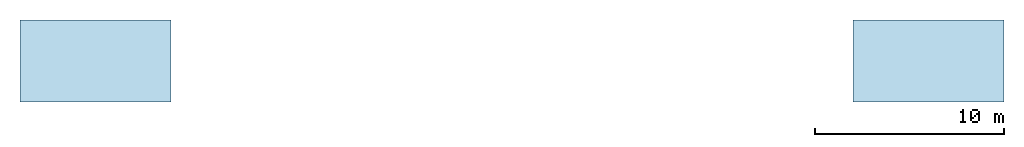
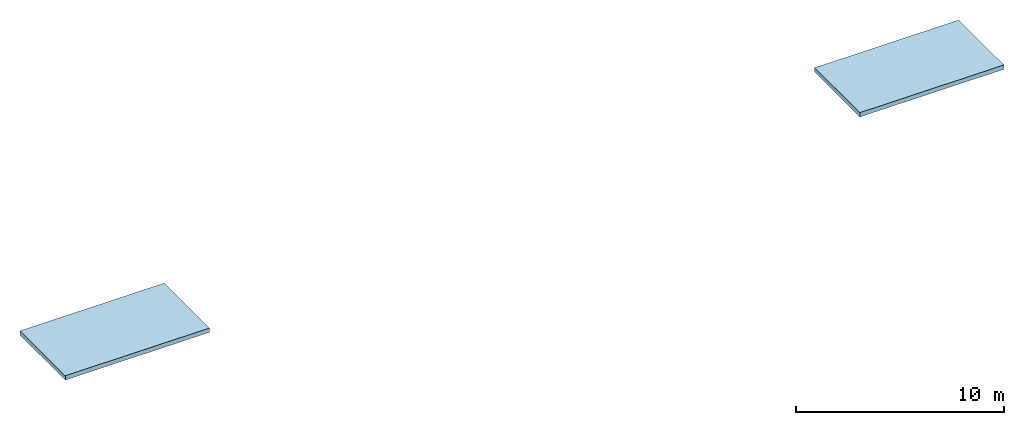
# One storey: 2 slabs.
"""IFC4 building model written with IfcOpenShell, lengths in metres."""

from ifc_helpers import new_model, si_unit, direction, frame, origin, place, context, subcontext, project, spatial, polyline, outline, extrude, material, layer, layer_set, type_object, element, save


model = new_model("IFC4")

# Units and contexts
model_context = context("Model", 3, precision=1e-05, world=origin(), true_north=direction((0.0, 1.0)))
body_context = subcontext(model_context, "Body", "Model", "MODEL_VIEW")
ifc_project = project(units=[si_unit("LENGTHUNIT", "METRE"), si_unit("AREAUNIT", "SQUARE_METRE"), si_unit("VOLUMEUNIT", "CUBIC_METRE"), si_unit("PLANEANGLEUNIT", "RADIAN"), si_unit("MASSUNIT", "GRAM", prefix="KILO")], contexts=[model_context])

# Site, building, storey
site_placement = place(None, origin())
site = spatial("IfcSite", under=ifc_project, at=site_placement, CompositionType="ELEMENT")
building_placement = place(site_placement, origin())
building = spatial("IfcBuilding", under=site, at=building_placement, Name="Zellij Exchange Tower", CompositionType="ELEMENT")
storey_placement = place(building_placement, frame((0.0, 0.0, 313.5)))
storey = spatial("IfcBuildingStorey", under=building, at=storey_placement, Name="UPPER ROOF", CompositionType="ELEMENT", Elevation=313.5)

# Slabs
ifc_material = material(Name="Concrete C40/50", Category="concrete")
ifc_layer = layer(ifc_material, 0.25)
ifc_layer_set = layer_set([ifc_layer], Name="Concrete C40/50")
slab_type = type_object("IfcSlabType", Name="CORE-HR 250 head-house roof slab", PredefinedType="ROOF", material=ifc_layer_set)
slab_1_placement = place(storey_placement, origin())
element("IfcSlab", 1, at=slab_1_placement, inside=storey, type_object=slab_type, Name="Stair ST1 head-house roof", PredefinedType="ROOF", context=body_context, shape_type="SweptSolid", body=[
    extrude(outline(polyline([(-26.050048828125, -13.050048828125), (-18.050048828125, -13.050048828125), (-18.050048828125, -8.699951171875), (-26.050048828125, -8.699951171875), (-26.050048828125, -13.050048828125)])), origin(), (0.0, 0.0, 1.0), 0.25),
])
slab_2_placement = place(storey_placement, origin())
element("IfcSlab", 2, at=slab_2_placement, inside=storey, type_object=slab_type, Name="Stair ST4 head-house roof", PredefinedType="ROOF", context=body_context, shape_type="SweptSolid", body=[
    extrude(outline(polyline([(18.050048828125, -13.050048828125), (26.050048828125, -13.050048828125), (26.050048828125, -8.699951171875), (18.050048828125, -8.699951171875), (18.050048828125, -13.050048828125)])), origin(), (0.0, 0.0, 1.0), 0.25),
])

save(model, "model.ifc")
